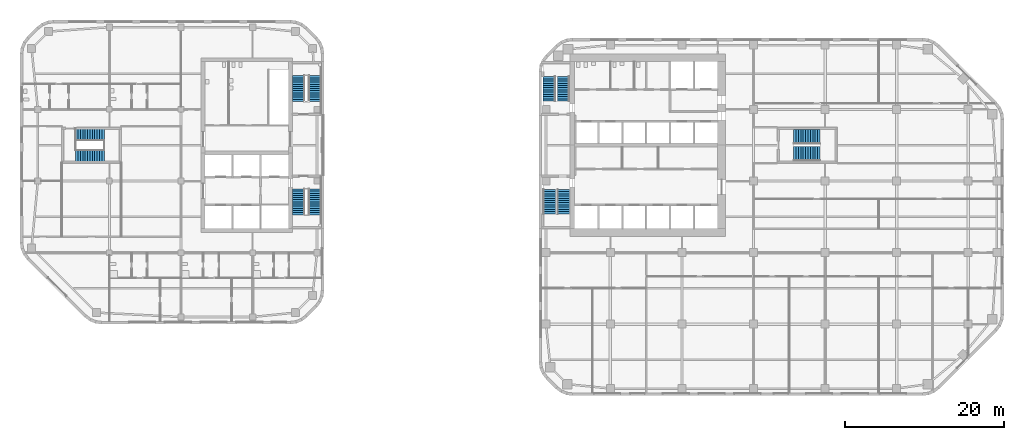
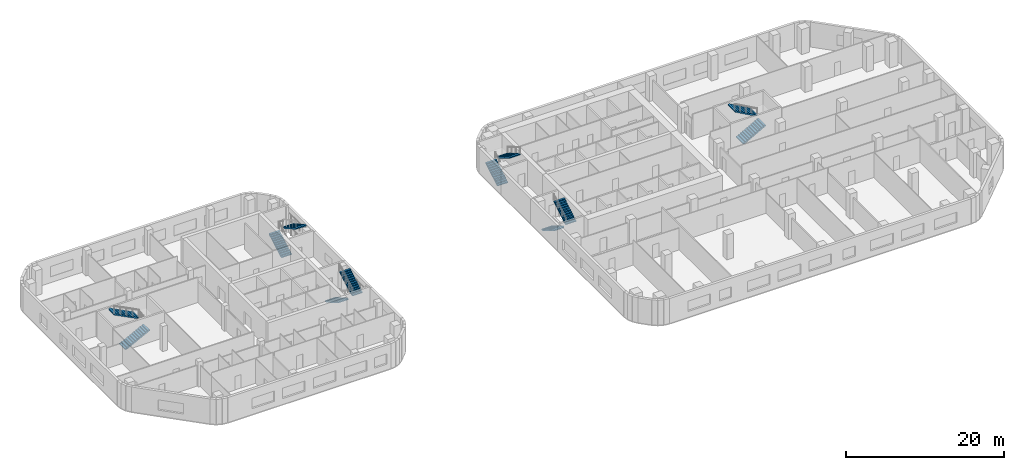
# One storey, part 13 of 16: 12 stair flights, 6 elements without a shape of their own.
"""IFC4 building model written with IfcOpenShell, lengths in metres."""

from ifc_helpers import new_model, si_unit, direction, frame, origin, place, context, subcontext, project, spatial, polyline, outline, extrude, material, type_object, element, aggregate, save


model = new_model("IFC4")

# Units and contexts
model_context = context("Model", 3, precision=1e-05, world=origin(), true_north=direction((0.0, 1.0)))
body_context = subcontext(model_context, "Body", "Model", "MODEL_VIEW")
ifc_project = project(units=[si_unit("LENGTHUNIT", "METRE"), si_unit("AREAUNIT", "SQUARE_METRE"), si_unit("VOLUMEUNIT", "CUBIC_METRE"), si_unit("PLANEANGLEUNIT", "RADIAN"), si_unit("MASSUNIT", "GRAM", prefix="KILO")], contexts=[model_context])

# Site, building, storey
site_placement = place(None, origin())
site = spatial("IfcSite", under=ifc_project, at=site_placement, CompositionType="ELEMENT")
building_placement = place(site_placement, origin())
building = spatial("IfcBuilding", under=site, at=building_placement, Name="Cinnabar Reach Civic Tower", CompositionType="ELEMENT")
storey_placement = place(building_placement, frame((0.0, 0.0, 55.0)))
storey = spatial("IfcBuildingStorey", under=building, at=storey_placement, Name="L12", CompositionType="ELEMENT", Elevation=55.0)

# Stair, stair flights
ifc_material_1 = material(Name="Concrete C40/50", Category="concrete")
stair_type_1 = type_object("IfcStairType", Name="T1 Exit stair, half-turn", PredefinedType="HALF_TURN_STAIR", material=ifc_material_1)
stair_1_placement = place(storey_placement, origin())
stair_1 = element("IfcStair", 1, at=stair_1_placement, inside=storey, type_object=stair_type_1, Name="Stair T1-S1", PredefinedType="HALF_TURN_STAIR")
stair_flight_type_1 = type_object("IfcStairFlightType", Name="T1 Stair flight, concrete", PredefinedType="STRAIGHT", material=ifc_material_1)
stair_flight_1_placement = place(storey_placement, frame((1.3125, 25.95, 0.0), z_axis=(0.0, 0.0, 1.0), x_axis=(0.0, -1.0, 0.0)))
stair_flight_1 = element("IfcStairFlight", 2, at=stair_flight_1_placement, type_object=stair_flight_type_1, Name="T1-S1 flight 1", NumberOfRisers=12, NumberOfTreads=11, PredefinedType="STRAIGHT", RiserHeight=0.166666667, TreadLength=0.28, context=body_context, shape_type="SweptSolid", body=[
    extrude(outline(polyline([(0.0, 0.0), (0.0, 0.1667), (0.28, 0.1667), (0.28, 0.3333), (0.56, 0.3333), (0.56, 0.5), (0.84, 0.5), (0.84, 0.6667), (1.12, 0.6667), (1.12, 0.8333), (1.4, 0.8333), (1.4, 1.0), (1.68, 1.0), (1.68, 1.1667), (1.96, 1.1667), (1.96, 1.3333), (2.24, 1.3333), (2.24, 1.5), (2.52, 1.5), (2.52, 1.6667), (2.8, 1.6667), (2.8, 1.8333), (3.08, 1.8333), (3.08, 2.0), (3.08, 1.6588), (0.2933, 0.0), (0.0, 0.0)])), frame((0.0, 0.7625, 0.0), z_axis=(0.0, -1.0, 0.0), x_axis=(1.0, 0.0, 0.0)), (0.0, 0.0, 1.0), 1.525),
])
stair_flight_2_placement = place(storey_placement, frame((3.0875, 22.87, 2.0), z_axis=(0.0, 0.0, 1.0), x_axis=(0.0, 1.0, 0.0)))
stair_flight_2 = element("IfcStairFlight", 3, at=stair_flight_2_placement, type_object=stair_flight_type_1, Name="T1-S1 flight 2", NumberOfRisers=12, NumberOfTreads=11, PredefinedType="STRAIGHT", RiserHeight=0.166666667, TreadLength=0.28, context=body_context, shape_type="SweptSolid", body=[
    extrude(outline(polyline([(0.0, 0.0), (0.0, 0.1667), (0.28, 0.1667), (0.28, 0.3333), (0.56, 0.3333), (0.56, 0.5), (0.84, 0.5), (0.84, 0.6667), (1.12, 0.6667), (1.12, 0.8333), (1.4, 0.8333), (1.4, 1.0), (1.68, 1.0), (1.68, 1.1667), (1.96, 1.1667), (1.96, 1.3333), (2.24, 1.3333), (2.24, 1.5), (2.52, 1.5), (2.52, 1.6667), (2.8, 1.6667), (2.8, 1.8333), (3.08, 1.8333), (3.08, 2.0), (3.08, 1.6588), (0.2933, 0.0), (0.0, 0.0)])), frame((0.0, 0.7625, 0.0), z_axis=(0.0, -1.0, 0.0), x_axis=(1.0, 0.0, 0.0)), (0.0, 0.0, 1.0), 1.525),
])
aggregate(stair_1, [stair_flight_1, stair_flight_2])

stair_2_placement = place(storey_placement, origin())
stair_2 = element("IfcStair", 4, at=stair_2_placement, inside=storey, type_object=stair_type_1, Name="Stair T1-S2", PredefinedType="HALF_TURN_STAIR")
stair_flight_3_placement = place(storey_placement, frame((1.3125, 37.05, 0.0), z_axis=(0.0, 0.0, 1.0), x_axis=(0.0, 1.0, 0.0)))
stair_flight_3 = element("IfcStairFlight", 5, at=stair_flight_3_placement, type_object=stair_flight_type_1, Name="T1-S2 flight 1", NumberOfRisers=12, NumberOfTreads=11, PredefinedType="STRAIGHT", RiserHeight=0.166666667, TreadLength=0.28, context=body_context, shape_type="SweptSolid", body=[
    extrude(outline(polyline([(0.0, 0.0), (0.0, 0.1667), (0.28, 0.1667), (0.28, 0.3333), (0.56, 0.3333), (0.56, 0.5), (0.84, 0.5), (0.84, 0.6667), (1.12, 0.6667), (1.12, 0.8333), (1.4, 0.8333), (1.4, 1.0), (1.68, 1.0), (1.68, 1.1667), (1.96, 1.1667), (1.96, 1.3333), (2.24, 1.3333), (2.24, 1.5), (2.52, 1.5), (2.52, 1.6667), (2.8, 1.6667), (2.8, 1.8333), (3.08, 1.8333), (3.08, 2.0), (3.08, 1.6588), (0.2933, 0.0), (0.0, 0.0)])), frame((0.0, 0.7625, 0.0), z_axis=(0.0, -1.0, 0.0), x_axis=(1.0, 0.0, 0.0)), (0.0, 0.0, 1.0), 1.525),
])
stair_flight_4_placement = place(storey_placement, frame((3.0875, 40.13, 2.0), z_axis=(0.0, 0.0, 1.0), x_axis=(0.0, -1.0, 0.0)))
stair_flight_4 = element("IfcStairFlight", 6, at=stair_flight_4_placement, type_object=stair_flight_type_1, Name="T1-S2 flight 2", NumberOfRisers=12, NumberOfTreads=11, PredefinedType="STRAIGHT", RiserHeight=0.166666667, TreadLength=0.28, context=body_context, shape_type="SweptSolid", body=[
    extrude(outline(polyline([(0.0, 0.0), (0.0, 0.1667), (0.28, 0.1667), (0.28, 0.3333), (0.56, 0.3333), (0.56, 0.5), (0.84, 0.5), (0.84, 0.6667), (1.12, 0.6667), (1.12, 0.8333), (1.4, 0.8333), (1.4, 1.0), (1.68, 1.0), (1.68, 1.1667), (1.96, 1.1667), (1.96, 1.3333), (2.24, 1.3333), (2.24, 1.5), (2.52, 1.5), (2.52, 1.6667), (2.8, 1.6667), (2.8, 1.8333), (3.08, 1.8333), (3.08, 2.0), (3.08, 1.6588), (0.2933, 0.0), (0.0, 0.0)])), frame((0.0, 0.7625, 0.0), z_axis=(0.0, -1.0, 0.0), x_axis=(1.0, 0.0, 0.0)), (0.0, 0.0, 1.0), 1.525),
])
aggregate(stair_2, [stair_flight_3, stair_flight_4])

stair_3_placement = place(storey_placement, origin())
stair_3 = element("IfcStair", 7, at=stair_3_placement, inside=storey, type_object=stair_type_1, Name="Stair T1-S3", PredefinedType="HALF_TURN_STAIR")
stair_flight_5_placement = place(storey_placement, frame((32.05, 30.45, 0.0), z_axis=(0.0, 0.0, 1.0), x_axis=(1.0, 0.0, 0.0)))
stair_flight_5 = element("IfcStairFlight", 8, at=stair_flight_5_placement, type_object=stair_flight_type_1, Name="T1-S3 flight 1", NumberOfRisers=12, NumberOfTreads=11, PredefinedType="STRAIGHT", RiserHeight=0.166666667, TreadLength=0.3, context=body_context, shape_type="SweptSolid", body=[
    extrude(outline(polyline([(0.0, 0.0), (0.0, 0.1667), (0.3, 0.1667), (0.3, 0.3333), (0.6, 0.3333), (0.6, 0.5), (0.9, 0.5), (0.9, 0.6667), (1.2, 0.6667), (1.2, 0.8333), (1.5, 0.8333), (1.5, 1.0), (1.8, 1.0), (1.8, 1.1667), (2.1, 1.1667), (2.1, 1.3333), (2.4, 1.3333), (2.4, 1.5), (2.7, 1.5), (2.7, 1.6667), (3.0, 1.6667), (3.0, 1.8333), (3.3, 1.8333), (3.3, 2.0), (3.3, 1.6617), (0.3089, 0.0), (0.0, 0.0)])), frame((0.0, 0.9, 0.0), z_axis=(0.0, -1.0, 0.0), x_axis=(1.0, 0.0, 0.0)), (0.0, 0.0, 1.0), 1.8),
])
stair_flight_6_placement = place(storey_placement, frame((35.35, 32.55, 2.0), z_axis=(0.0, 0.0, 1.0), x_axis=(-1.0, 0.0, 0.0)))
stair_flight_6 = element("IfcStairFlight", 9, at=stair_flight_6_placement, type_object=stair_flight_type_1, Name="T1-S3 flight 2", NumberOfRisers=12, NumberOfTreads=11, PredefinedType="STRAIGHT", RiserHeight=0.166666667, TreadLength=0.3, context=body_context, shape_type="SweptSolid", body=[
    extrude(outline(polyline([(0.0, 0.0), (0.0, 0.1667), (0.3, 0.1667), (0.3, 0.3333), (0.6, 0.3333), (0.6, 0.5), (0.9, 0.5), (0.9, 0.6667), (1.2, 0.6667), (1.2, 0.8333), (1.5, 0.8333), (1.5, 1.0), (1.8, 1.0), (1.8, 1.1667), (2.1, 1.1667), (2.1, 1.3333), (2.4, 1.3333), (2.4, 1.5), (2.7, 1.5), (2.7, 1.6667), (3.0, 1.6667), (3.0, 1.8333), (3.3, 1.8333), (3.3, 2.0), (3.3, 1.6617), (0.3089, 0.0), (0.0, 0.0)])), frame((0.0, 0.9, 0.0), z_axis=(0.0, -1.0, 0.0), x_axis=(1.0, 0.0, 0.0)), (0.0, 0.0, 1.0), 1.8),
])
aggregate(stair_3, [stair_flight_5, stair_flight_6])

ifc_material_2 = material(Name="Concrete C40", Category="concrete")
stair_type_2 = type_object("IfcStairType", Name="T2 Exit stair 1500", PredefinedType="HALF_TURN_STAIR", material=ifc_material_2)
stair_4_placement = place(storey_placement, origin())
stair_4 = element("IfcStair", 10, at=stair_4_placement, inside=storey, type_object=stair_type_2, Name="Exit stair 1", PredefinedType="HALF_TURN_STAIR")
stair_flight_type_2 = type_object("IfcStairFlightType", Name="T2 Stair flight 1500", PredefinedType="STRAIGHT", material=ifc_material_2)
stair_flight_7_placement = place(storey_placement, frame((-30.25, 26.0, 0.0), z_axis=(0.0, 0.0, 1.0), x_axis=(0.0, -1.0, 0.0)))
stair_flight_7 = element("IfcStairFlight", 11, at=stair_flight_7_placement, type_object=stair_flight_type_2, Name="ST1 flight 1", NumberOfRisers=13, NumberOfTreads=12, PredefinedType="STRAIGHT", RiserHeight=0.153846154, TreadLength=0.270833333, context=body_context, shape_type="SweptSolid", body=[
    extrude(outline(polyline([(0.0, 0.0), (0.0, 0.1538), (0.2708, 0.1538), (0.2708, 0.3077), (0.5417, 0.3077), (0.5417, 0.4615), (0.8125, 0.4615), (0.8125, 0.6154), (1.0833, 0.6154), (1.0833, 0.7692), (1.3542, 0.7692), (1.3542, 0.9231), (1.625, 0.9231), (1.625, 1.0769), (1.8958, 1.0769), (1.8958, 1.2308), (2.1667, 1.2308), (2.1667, 1.3846), (2.4375, 1.3846), (2.4375, 1.5385), (2.7083, 1.5385), (2.7083, 1.6923), (2.9792, 1.6923), (2.9792, 1.8462), (3.25, 1.8462), (3.25, 2.0), (3.25, 1.6736), (0.3037, 0.0), (0.0, 0.0)])), frame((0.0, 0.75, 0.0), z_axis=(0.0, -1.0, 0.0), x_axis=(1.0, 0.0, 0.0)), (0.0, 0.0, 1.0), 1.5),
])
stair_flight_8_placement = place(storey_placement, frame((-28.15, 22.75, 2.0), z_axis=(0.0, 0.0, 1.0), x_axis=(0.0, 1.0, 0.0)))
stair_flight_8 = element("IfcStairFlight", 12, at=stair_flight_8_placement, type_object=stair_flight_type_2, Name="ST1 flight 2", NumberOfRisers=13, NumberOfTreads=12, PredefinedType="STRAIGHT", RiserHeight=0.153846154, TreadLength=0.270833333, context=body_context, shape_type="SweptSolid", body=[
    extrude(outline(polyline([(0.0, 0.0), (0.0, 0.1538), (0.2708, 0.1538), (0.2708, 0.3077), (0.5417, 0.3077), (0.5417, 0.4615), (0.8125, 0.4615), (0.8125, 0.6154), (1.0833, 0.6154), (1.0833, 0.7692), (1.3542, 0.7692), (1.3542, 0.9231), (1.625, 0.9231), (1.625, 1.0769), (1.8958, 1.0769), (1.8958, 1.2308), (2.1667, 1.2308), (2.1667, 1.3846), (2.4375, 1.3846), (2.4375, 1.5385), (2.7083, 1.5385), (2.7083, 1.6923), (2.9792, 1.6923), (2.9792, 1.8462), (3.25, 1.8462), (3.25, 2.0), (3.25, 1.6736), (0.3037, 0.0), (0.0, 0.0)])), frame((0.0, 0.75, 0.0), z_axis=(0.0, -1.0, 0.0), x_axis=(1.0, 0.0, 0.0)), (0.0, 0.0, 1.0), 1.5),
])
aggregate(stair_4, [stair_flight_7, stair_flight_8])

stair_5_placement = place(storey_placement, origin())
stair_5 = element("IfcStair", 13, at=stair_5_placement, inside=storey, type_object=stair_type_2, Name="Exit stair 2", PredefinedType="HALF_TURN_STAIR")
stair_flight_9_placement = place(storey_placement, frame((-30.25, 37.0, 0.0), z_axis=(0.0, 0.0, 1.0), x_axis=(0.0, 1.0, 0.0)))
stair_flight_9 = element("IfcStairFlight", 14, at=stair_flight_9_placement, type_object=stair_flight_type_2, Name="ST2 flight 1", NumberOfRisers=13, NumberOfTreads=12, PredefinedType="STRAIGHT", RiserHeight=0.153846154, TreadLength=0.270833333, context=body_context, shape_type="SweptSolid", body=[
    extrude(outline(polyline([(0.0, 0.0), (0.0, 0.1538), (0.2708, 0.1538), (0.2708, 0.3077), (0.5417, 0.3077), (0.5417, 0.4615), (0.8125, 0.4615), (0.8125, 0.6154), (1.0833, 0.6154), (1.0833, 0.7692), (1.3542, 0.7692), (1.3542, 0.9231), (1.625, 0.9231), (1.625, 1.0769), (1.8958, 1.0769), (1.8958, 1.2308), (2.1667, 1.2308), (2.1667, 1.3846), (2.4375, 1.3846), (2.4375, 1.5385), (2.7083, 1.5385), (2.7083, 1.6923), (2.9792, 1.6923), (2.9792, 1.8462), (3.25, 1.8462), (3.25, 2.0), (3.25, 1.6736), (0.3037, 0.0), (0.0, 0.0)])), frame((0.0, 0.75, 0.0), z_axis=(0.0, -1.0, 0.0), x_axis=(1.0, 0.0, 0.0)), (0.0, 0.0, 1.0), 1.5),
])
stair_flight_10_placement = place(storey_placement, frame((-28.15, 40.25, 2.0), z_axis=(0.0, 0.0, 1.0), x_axis=(0.0, -1.0, 0.0)))
stair_flight_10 = element("IfcStairFlight", 15, at=stair_flight_10_placement, type_object=stair_flight_type_2, Name="ST2 flight 2", NumberOfRisers=13, NumberOfTreads=12, PredefinedType="STRAIGHT", RiserHeight=0.153846154, TreadLength=0.270833333, context=body_context, shape_type="SweptSolid", body=[
    extrude(outline(polyline([(0.0, 0.0), (0.0, 0.1538), (0.2708, 0.1538), (0.2708, 0.3077), (0.5417, 0.3077), (0.5417, 0.4615), (0.8125, 0.4615), (0.8125, 0.6154), (1.0833, 0.6154), (1.0833, 0.7692), (1.3542, 0.7692), (1.3542, 0.9231), (1.625, 0.9231), (1.625, 1.0769), (1.8958, 1.0769), (1.8958, 1.2308), (2.1667, 1.2308), (2.1667, 1.3846), (2.4375, 1.3846), (2.4375, 1.5385), (2.7083, 1.5385), (2.7083, 1.6923), (2.9792, 1.6923), (2.9792, 1.8462), (3.25, 1.8462), (3.25, 2.0), (3.25, 1.6736), (0.3037, 0.0), (0.0, 0.0)])), frame((0.0, 0.75, 0.0), z_axis=(0.0, -1.0, 0.0), x_axis=(1.0, 0.0, 0.0)), (0.0, 0.0, 1.0), 1.5),
])
aggregate(stair_5, [stair_flight_9, stair_flight_10])

stair_6_placement = place(storey_placement, origin())
stair_6 = element("IfcStair", 16, at=stair_6_placement, inside=storey, type_object=stair_type_2, Name="Exit stair 3", PredefinedType="HALF_TURN_STAIR")
stair_flight_11_placement = place(storey_placement, frame((-58.25, 30.125, 0.0), z_axis=(0.0, 0.0, 1.0), x_axis=(1.0, 0.0, 0.0)))
stair_flight_11 = element("IfcStairFlight", 17, at=stair_flight_11_placement, type_object=stair_flight_type_2, Name="ST3 flight 1", NumberOfRisers=13, NumberOfTreads=12, PredefinedType="STRAIGHT", RiserHeight=0.153846154, TreadLength=0.3, context=body_context, shape_type="SweptSolid", body=[
    extrude(outline(polyline([(0.0, 0.0), (0.0, 0.1538), (0.3, 0.1538), (0.3, 0.3077), (0.6, 0.3077), (0.6, 0.4615), (0.9, 0.4615), (0.9, 0.6154), (1.2, 0.6154), (1.2, 0.7692), (1.5, 0.7692), (1.5, 0.9231), (1.8, 0.9231), (1.8, 1.0769), (2.1, 1.0769), (2.1, 1.2308), (2.4, 1.2308), (2.4, 1.3846), (2.7, 1.3846), (2.7, 1.5385), (3.0, 1.5385), (3.0, 1.6923), (3.3, 1.6923), (3.3, 1.8462), (3.6, 1.8462), (3.6, 2.0), (3.6, 1.6776), (0.3287, 0.0), (0.0, 0.0)])), frame((0.0, 0.75, 0.0), z_axis=(0.0, -1.0, 0.0), x_axis=(1.0, 0.0, 0.0)), (0.0, 0.0, 1.0), 1.5),
])
stair_flight_12_placement = place(storey_placement, frame((-54.65, 32.875, 2.0), z_axis=(0.0, 0.0, 1.0), x_axis=(-1.0, 0.0, 0.0)))
stair_flight_12 = element("IfcStairFlight", 18, at=stair_flight_12_placement, type_object=stair_flight_type_2, Name="ST3 flight 2", NumberOfRisers=13, NumberOfTreads=12, PredefinedType="STRAIGHT", RiserHeight=0.153846154, TreadLength=0.3, context=body_context, shape_type="SweptSolid", body=[
    extrude(outline(polyline([(0.0, 0.0), (0.0, 0.1538), (0.3, 0.1538), (0.3, 0.3077), (0.6, 0.3077), (0.6, 0.4615), (0.9, 0.4615), (0.9, 0.6154), (1.2, 0.6154), (1.2, 0.7692), (1.5, 0.7692), (1.5, 0.9231), (1.8, 0.9231), (1.8, 1.0769), (2.1, 1.0769), (2.1, 1.2308), (2.4, 1.2308), (2.4, 1.3846), (2.7, 1.3846), (2.7, 1.5385), (3.0, 1.5385), (3.0, 1.6923), (3.3, 1.6923), (3.3, 1.8462), (3.6, 1.8462), (3.6, 2.0), (3.6, 1.6776), (0.3287, 0.0), (0.0, 0.0)])), frame((0.0, 0.75, 0.0), z_axis=(0.0, -1.0, 0.0), x_axis=(1.0, 0.0, 0.0)), (0.0, 0.0, 1.0), 1.5),
])
aggregate(stair_6, [stair_flight_11, stair_flight_12])

save(model, "model.ifc")
